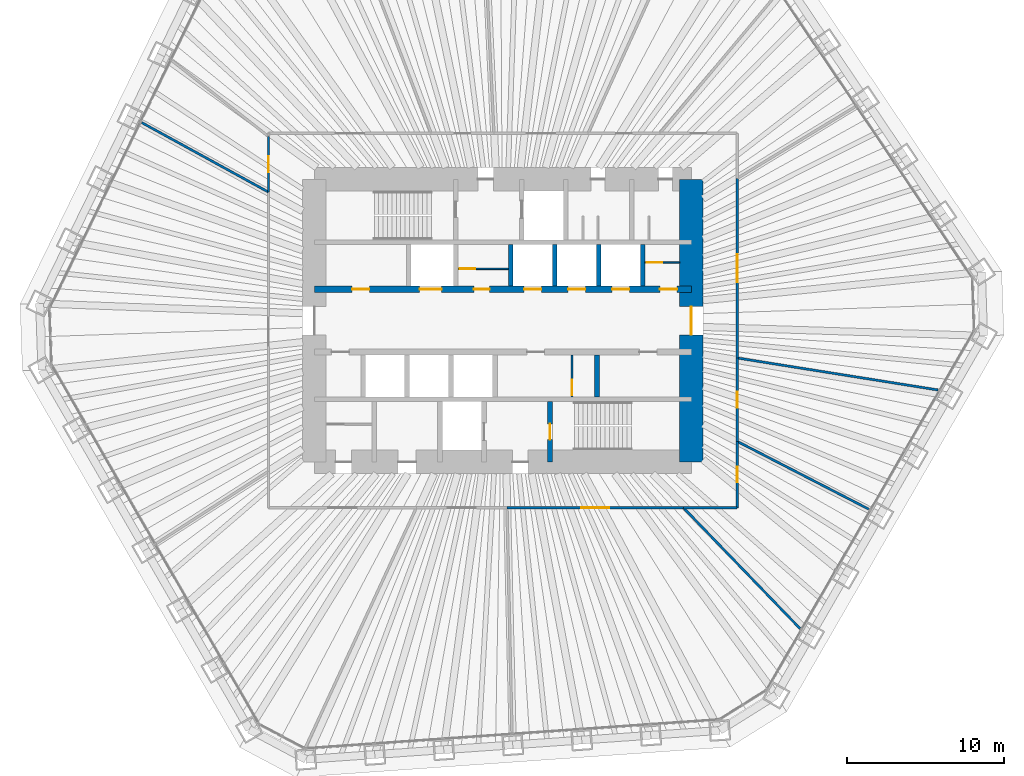
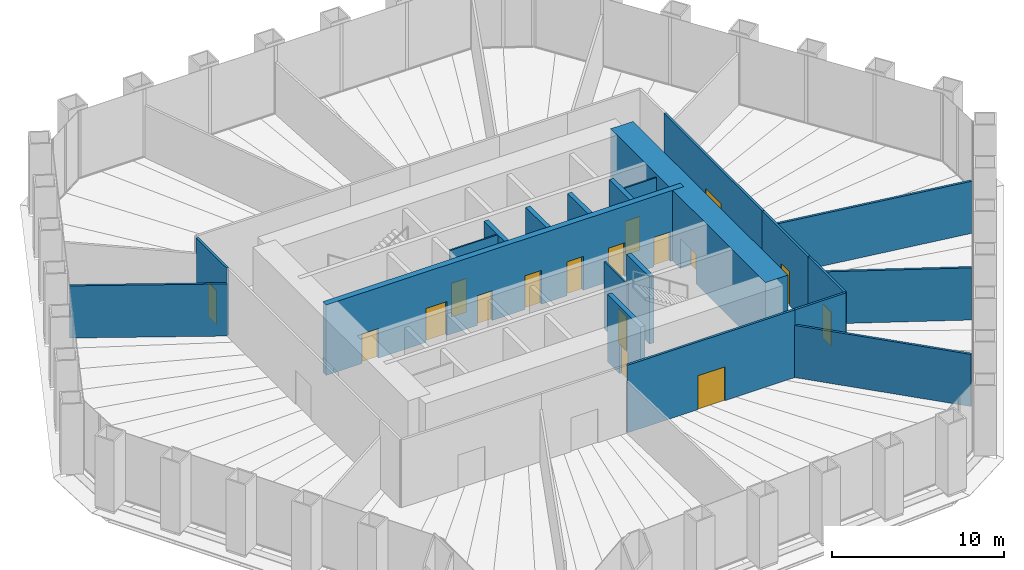
# One storey, part 11 of 14: 21 walls, 17 doors, 17 openings.
"""IFC4 building model written with IfcOpenShell, lengths in metres."""

from ifc_helpers import new_model, si_unit, direction, frame, frame_2d, origin, place, context, subcontext, project, spatial, rectangle, extrude, material, layer, layer_set, type_object, element, fill, save


model = new_model("IFC4")

# Units and contexts
model_context = context("Model", 3, precision=1e-05, world=origin(), true_north=direction((0.0, 1.0)))
body_context = subcontext(model_context, "Body", "Model", "MODEL_VIEW")
ifc_project = project(units=[si_unit("LENGTHUNIT", "METRE"), si_unit("AREAUNIT", "SQUARE_METRE"), si_unit("VOLUMEUNIT", "CUBIC_METRE"), si_unit("PLANEANGLEUNIT", "RADIAN"), si_unit("MASSUNIT", "GRAM", prefix="KILO")], contexts=[model_context])

# Site, building, storey
site_placement = place(None, origin())
site = spatial("IfcSite", under=ifc_project, at=site_placement, CompositionType="ELEMENT")
building_placement = place(site_placement, origin())
building = spatial("IfcBuilding", under=site, at=building_placement, Name="Qingtian Harvest Tower", CompositionType="ELEMENT")
storey_placement = place(building_placement, frame((0.0, 0.0, 57.0)))
storey = spatial("IfcBuildingStorey", under=building, at=storey_placement, Name="L11", CompositionType="ELEMENT", Elevation=57.0)

# Wall, openings, doors
ifc_material_1 = material(Name="Concrete fc' 70 MPa", Category="concrete")
ifc_layer_1 = layer(ifc_material_1, 0.39990234375)
ifc_layer_set_1 = layer_set([ifc_layer_1], Name="Core inner web RC6 400")
wall_type_1 = type_object("IfcWallType", Name="Core inner web RC6 400", PredefinedType="SHEAR", material=ifc_layer_set_1)
wall_1_placement = place(storey_placement, frame((-12.0, 2.0, 0.0), z_axis=(0.0, 0.0, 1.0), x_axis=(1.0, 0.0, 0.0)))
wall_1 = element("IfcWall", 1, at=wall_1_placement, inside=storey, type_object=wall_type_1, Name="Core wall IN2 L11", PredefinedType="SHEAR", context=body_context, shape_type="SweptSolid", body=[
    extrude(rectangle(XDim=24.0, YDim=0.39990234375, at=frame_2d((12.0, 0.0))), origin(), (0.0, 0.0, 1.0), 5.0),
])
opening_1_placement = place(wall_1_placement, frame((2.39990234375, 0.0, 0.0)))
opening_1 = element("IfcOpeningElement", 2, at=opening_1_placement, cuts=wall_1, Name="Opening FD4", PredefinedType="OPENING", context=body_context, shape_type="SweptSolid", body=[
    extrude(rectangle(XDim=1.10009765625, YDim=2.10009765625, at=frame_2d((0.550048828125, 1.050048828125))), frame((0.0, 0.2099609375, 0.0), z_axis=(0.0, -1.0, 0.0), x_axis=(1.0, 0.0, 0.0)), (0.0, 0.0, 1.0), 0.419921875),
])
opening_2_placement = place(wall_1_placement, frame((22.0, 0.0, 0.0)))
opening_2 = element("IfcOpeningElement", 3, at=opening_2_placement, cuts=wall_1, Name="Opening FD4", PredefinedType="OPENING", context=body_context, shape_type="SweptSolid", body=[
    extrude(rectangle(XDim=1.10009765625, YDim=2.10009765625, at=frame_2d((0.550048828125, 1.050048828125))), frame((0.0, 0.2099609375, 0.0), z_axis=(0.0, -1.0, 0.0), x_axis=(1.0, 0.0, 0.0)), (0.0, 0.0, 1.0), 0.419921875),
])
opening_3_placement = place(wall_1_placement, frame((10.14990234375, 0.0, 0.0)))
opening_3 = element("IfcOpeningElement", 4, at=opening_3_placement, cuts=wall_1, Name="Opening FD1", PredefinedType="OPENING", context=body_context, shape_type="SweptSolid", body=[
    extrude(rectangle(XDim=1.0, YDim=2.10009765625, at=frame_2d((0.5, 1.050048828125))), frame((0.0, 0.2099609375, 0.0), z_axis=(0.0, -1.0, 0.0), x_axis=(1.0, 0.0, 0.0)), (0.0, 0.0, 1.0), 0.419921875),
])
opening_4_placement = place(wall_1_placement, frame((6.699951171875, 0.0, 0.0)))
opening_4 = element("IfcOpeningElement", 5, at=opening_4_placement, cuts=wall_1, Name="Opening LD2", PredefinedType="OPENING", context=body_context, shape_type="SweptSolid", body=[
    extrude(rectangle(XDim=1.39990234375, YDim=2.39990234375, at=frame_2d((0.699951171875, 1.199951171875))), frame((0.0, 0.2099609375, 0.0), z_axis=(0.0, -1.0, 0.0), x_axis=(1.0, 0.0, 0.0)), (0.0, 0.0, 1.0), 0.419921875),
])
opening_5_placement = place(wall_1_placement, frame((13.35009765625, 0.0, 0.0)))
opening_5 = element("IfcOpeningElement", 6, at=opening_5_placement, cuts=wall_1, Name="Opening LD1", PredefinedType="OPENING", context=body_context, shape_type="SweptSolid", body=[
    extrude(rectangle(XDim=1.10009765625, YDim=2.39990234375, at=frame_2d((0.550048828125, 1.199951171875))), frame((0.0, 0.2099609375, 0.0), z_axis=(0.0, -1.0, 0.0), x_axis=(1.0, 0.0, 0.0)), (0.0, 0.0, 1.0), 0.419921875),
])
opening_6_placement = place(wall_1_placement, frame((16.14990234375, 0.0, 0.0)))
opening_6 = element("IfcOpeningElement", 7, at=opening_6_placement, cuts=wall_1, Name="Opening LD1", PredefinedType="OPENING", context=body_context, shape_type="SweptSolid", body=[
    extrude(rectangle(XDim=1.10009765625, YDim=2.39990234375, at=frame_2d((0.550048828125, 1.199951171875))), frame((0.0, 0.2099609375, 0.0), z_axis=(0.0, -1.0, 0.0), x_axis=(1.0, 0.0, 0.0)), (0.0, 0.0, 1.0), 0.419921875),
])
opening_7_placement = place(wall_1_placement, frame((18.949951171875, 0.0, 0.0)))
opening_7 = element("IfcOpeningElement", 8, at=opening_7_placement, cuts=wall_1, Name="Opening LD1", PredefinedType="OPENING", context=body_context, shape_type="SweptSolid", body=[
    extrude(rectangle(XDim=1.10009765625, YDim=2.39990234375, at=frame_2d((0.550048828125, 1.199951171875))), frame((0.0, 0.2099609375, 0.0), z_axis=(0.0, -1.0, 0.0), x_axis=(1.0, 0.0, 0.0)), (0.0, 0.0, 1.0), 0.419921875),
])
ifc_material_2 = material(Name="Steel-faced door leaf", Category="steel")
door_type_1 = type_object("IfcDoorType", Name="Fire door FD1 single 1 HR", OperationType="SINGLE_SWING_LEFT", PredefinedType="DOOR", material=ifc_material_2)
door_1_placement = place(opening_3_placement, origin())
door_1 = element("IfcDoor", 9, at=door_1_placement, inside=storey, type_object=door_type_1, Name="STA door L11", OperationType="SINGLE_SWING_LEFT", OverallHeight=2.10009765625, OverallWidth=1.0, PredefinedType="DOOR", context=body_context, shape_type="SweptSolid", body=[
    extrude(rectangle(XDim=1.0, YDim=2.10009765625, at=frame_2d((0.5, 1.050048828125))), frame((0.0, 0.02490234375, 0.0), z_axis=(0.0, -1.0, 0.0), x_axis=(1.0, 0.0, 0.0)), (0.0, 0.0, 1.0), 0.050048828125),
])
fill(opening_3, door_1)
ifc_material_3 = material(Name="Steel-faced door leaf", Category="steel")
door_type_2 = type_object("IfcDoorType", Name="Fire door FD4 single 2 HR", OperationType="SINGLE_SWING_LEFT", PredefinedType="DOOR", material=ifc_material_3)
door_2_placement = place(opening_1_placement, origin())
door_2 = element("IfcDoor", 10, at=door_2_placement, inside=storey, type_object=door_type_2, Name="RA door L11", OperationType="SINGLE_SWING_RIGHT", OverallHeight=2.10009765625, OverallWidth=1.10009765625, PredefinedType="DOOR", context=body_context, shape_type="SweptSolid", body=[
    extrude(rectangle(XDim=1.10009765625, YDim=2.10009765625, at=frame_2d((0.550048828125, 1.050048828125))), frame((0.0, 0.02490234375, 0.0), z_axis=(0.0, -1.0, 0.0), x_axis=(1.0, 0.0, 0.0)), (0.0, 0.0, 1.0), 0.050048828125),
])
fill(opening_1, door_2)
door_3_placement = place(opening_2_placement, origin())
door_3 = element("IfcDoor", 11, at=door_3_placement, inside=storey, type_object=door_type_2, Name="AHU door L11", OperationType="SINGLE_SWING_RIGHT", OverallHeight=2.10009765625, OverallWidth=1.10009765625, PredefinedType="DOOR", context=body_context, shape_type="SweptSolid", body=[
    extrude(rectangle(XDim=1.10009765625, YDim=2.10009765625, at=frame_2d((0.550048828125, 1.050048828125))), frame((0.0, 0.02490234375, 0.0), z_axis=(0.0, -1.0, 0.0), x_axis=(1.0, 0.0, 0.0)), (0.0, 0.0, 1.0), 0.050048828125),
])
fill(opening_2, door_3)
ifc_material_4 = material(Name="Stainless steel lift landing door", Category="steel")
door_type_3 = type_object("IfcDoorType", Name="Goods lift landing door LD2 1 HR", OperationType="DOUBLE_DOOR_SLIDING", PredefinedType="DOOR", material=ifc_material_4)
door_4_placement = place(opening_4_placement, origin())
door_4 = element("IfcDoor", 12, at=door_4_placement, inside=storey, type_object=door_type_3, Name="GL1 landing door L11", OperationType="DOUBLE_DOOR_SLIDING", OverallHeight=2.39990234375, OverallWidth=1.39990234375, PredefinedType="DOOR", context=body_context, shape_type="SweptSolid", body=[
    extrude(rectangle(XDim=1.39990234375, YDim=2.39990234375, at=frame_2d((0.699951171875, 1.199951171875))), frame((0.0, 0.02490234375, 0.0), z_axis=(0.0, -1.0, 0.0), x_axis=(1.0, 0.0, 0.0)), (0.0, 0.0, 1.0), 0.050048828125),
])
fill(opening_4, door_4)
ifc_material_5 = material(Name="Stainless steel lift landing door", Category="steel")
door_type_4 = type_object("IfcDoorType", Name="Lift landing door LD1 1 HR", OperationType="DOUBLE_DOOR_SLIDING", PredefinedType="DOOR", material=ifc_material_5)
door_5_placement = place(opening_5_placement, origin())
door_5 = element("IfcDoor", 13, at=door_5_placement, inside=storey, type_object=door_type_4, Name="PLA1 landing door L11", OperationType="DOUBLE_DOOR_SLIDING", OverallHeight=2.39990234375, OverallWidth=1.10009765625, PredefinedType="DOOR", context=body_context, shape_type="SweptSolid", body=[
    extrude(rectangle(XDim=1.10009765625, YDim=2.39990234375, at=frame_2d((0.550048828125, 1.199951171875))), frame((0.0, 0.02490234375, 0.0), z_axis=(0.0, -1.0, 0.0), x_axis=(1.0, 0.0, 0.0)), (0.0, 0.0, 1.0), 0.050048828125),
])
fill(opening_5, door_5)
door_6_placement = place(opening_6_placement, origin())
door_6 = element("IfcDoor", 14, at=door_6_placement, inside=storey, type_object=door_type_4, Name="PLA2 landing door L11", OperationType="DOUBLE_DOOR_SLIDING", OverallHeight=2.39990234375, OverallWidth=1.10009765625, PredefinedType="DOOR", context=body_context, shape_type="SweptSolid", body=[
    extrude(rectangle(XDim=1.10009765625, YDim=2.39990234375, at=frame_2d((0.550048828125, 1.199951171875))), frame((0.0, 0.02490234375, 0.0), z_axis=(0.0, -1.0, 0.0), x_axis=(1.0, 0.0, 0.0)), (0.0, 0.0, 1.0), 0.050048828125),
])
fill(opening_6, door_6)
door_7_placement = place(opening_7_placement, origin())
door_7 = element("IfcDoor", 15, at=door_7_placement, inside=storey, type_object=door_type_4, Name="PLA3 landing door L11", OperationType="DOUBLE_DOOR_SLIDING", OverallHeight=2.39990234375, OverallWidth=1.10009765625, PredefinedType="DOOR", context=body_context, shape_type="SweptSolid", body=[
    extrude(rectangle(XDim=1.10009765625, YDim=2.39990234375, at=frame_2d((0.550048828125, 1.199951171875))), frame((0.0, 0.02490234375, 0.0), z_axis=(0.0, -1.0, 0.0), x_axis=(1.0, 0.0, 0.0)), (0.0, 0.0, 1.0), 0.050048828125),
])
fill(opening_7, door_7)

# Walls
ifc_material_6 = material(Name="Precast concrete shaft panel", Category="concrete")
ifc_layer_2 = layer(ifc_material_6, 0.300048828125)
ifc_layer_set_2 = layer_set([ifc_layer_2], Name="Core shaft partition SW1 300")
wall_type_2 = type_object("IfcWallType", Name="Core shaft partition SW1 300", PredefinedType="PARTITIONING", material=ifc_layer_set_2)
for number, where, z_axis, x_axis, name in (
    (16, (0.5, 2.199951171875, 0.0), (0.0, 0.0, 1.0), (0.0, 1.0, 0.0), "Core shaft partition XA3 L11"),
    (17, (3.300048828125, 2.199951171875, 0.0), (0.0, 0.0, 1.0), (0.0, 1.0, 0.0), "Core shaft partition XA4 L11"),
    (18, (6.10009765625, 2.199951171875, 0.0), (0.0, 0.0, 1.0), (0.0, 1.0, 0.0), "Core shaft partition XA5 L11"),
    (19, (8.89990234375, 2.199951171875, 0.0), (0.0, 0.0, 1.0), (0.0, 1.0, 0.0), "Core shaft partition XA6 L11"),
    (20, (6.0, -4.85009765625, 0.0), (0.0, 0.0, 1.0), (0.0, 1.0, 0.0), "Core shaft partition XB5 L11"),
):
    element("IfcWall", number, at=place(storey_placement, frame(where, z_axis=z_axis, x_axis=x_axis)), inside=storey, type_object=wall_type_2, Name=name, PredefinedType="PARTITIONING", context=body_context, shape_type="SweptSolid", body=[
        extrude(rectangle(XDim=2.650146484375, YDim=0.300048828125, at=frame_2d((1.3251953125, 0.0))), origin(), (0.0, 0.0, 1.0), 4.780029296875),
    ])

# Wall, opening, door
wall_2_placement = place(storey_placement, frame((3.0, -9.0, 0.0), z_axis=(0.0, 0.0, 1.0), x_axis=(0.0, 1.0, 0.0)))
wall_2 = element("IfcWall", 21, at=wall_2_placement, inside=storey, type_object=wall_type_2, Name="Core shaft partition XS4 L11", PredefinedType="PARTITIONING", context=body_context, shape_type="SweptSolid", body=[
    extrude(rectangle(XDim=3.85009765625, YDim=0.300048828125, at=frame_2d((1.925048828125, 0.0))), origin(), (0.0, 0.0, 1.0), 4.780029296875),
])
opening_8_placement = place(wall_2_placement, frame((1.425048828125, 0.0, 0.0)))
opening_8 = element("IfcOpeningElement", 22, at=opening_8_placement, cuts=wall_2, Name="Opening FD1", PredefinedType="OPENING", context=body_context, shape_type="SweptSolid", body=[
    extrude(rectangle(XDim=1.0, YDim=2.10009765625, at=frame_2d((0.5, 1.050048828125))), frame((0.0, 0.159912109375, 0.0), z_axis=(0.0, -1.0, 0.0), x_axis=(1.0, 0.0, 0.0)), (0.0, 0.0, 1.0), 0.320068359375),
])
door_8_placement = place(opening_8_placement, origin())
door_8 = element("IfcDoor", 23, at=door_8_placement, inside=storey, type_object=door_type_1, Name="S2 door L11", OperationType="SINGLE_SWING_LEFT", OverallHeight=2.10009765625, OverallWidth=1.0, PredefinedType="DOOR", context=body_context, shape_type="SweptSolid", body=[
    extrude(rectangle(XDim=1.0, YDim=2.10009765625, at=frame_2d((0.5, 1.050048828125))), frame((0.0, 0.02490234375, 0.0), z_axis=(0.0, -1.0, 0.0), x_axis=(1.0, 0.0, 0.0)), (0.0, 0.0, 1.0), 0.050048828125),
])
fill(opening_8, door_8)

ifc_material_7 = material(Name="Concrete fc' 70 MPa", Category="concrete")
ifc_layer_3 = layer(ifc_material_7, 1.5)
ifc_layer_set_3 = layer_set([ifc_layer_3], Name="Core wall RC1 1500")
wall_type_3 = type_object("IfcWallType", Name="Core wall RC1 1500", PredefinedType="SHEAR", material=ifc_layer_set_3)
wall_3_placement = place(storey_placement, frame((12.0, -9.0, 0.0), z_axis=(0.0, 0.0, 1.0), x_axis=(0.0, 1.0, 0.0)))
wall_3 = element("IfcWall", 24, at=wall_3_placement, inside=storey, type_object=wall_type_3, Name="Core wall CE L11", PredefinedType="SHEAR", context=body_context, shape_type="SweptSolid", body=[
    extrude(rectangle(XDim=18.0, YDim=1.5, at=frame_2d((9.0, 0.0))), origin(), (0.0, 0.0, 1.0), 5.0),
])
opening_9_placement = place(wall_3_placement, frame((8.10009765625, 0.0, 0.0)))
opening_9 = element("IfcOpeningElement", 25, at=opening_9_placement, cuts=wall_3, Name="Opening FD2", PredefinedType="OPENING", context=body_context, shape_type="SweptSolid", body=[
    extrude(rectangle(XDim=1.800048828125, YDim=2.10009765625, at=frame_2d((0.89990234375, 1.050048828125))), frame((0.0, 0.760009765625, 0.0), z_axis=(0.0, -1.0, 0.0), x_axis=(1.0, 0.0, 0.0)), (0.0, 0.0, 1.0), 1.52001953125),
])
ifc_material_8 = material(Name="Steel-faced door leaf", Category="steel")
door_type_5 = type_object("IfcDoorType", Name="Fire door FD2 double 1 HR", OperationType="DOUBLE_DOOR_DOUBLE_SWING", PredefinedType="DOOR", material=ifc_material_8)
door_9_placement = place(opening_9_placement, origin())
door_9 = element("IfcDoor", 26, at=door_9_placement, inside=storey, type_object=door_type_5, Name="LOBBY-E door L11", OperationType="DOUBLE_DOOR_DOUBLE_SWING", OverallHeight=2.10009765625, OverallWidth=1.800048828125, PredefinedType="DOOR", context=body_context, shape_type="SweptSolid", body=[
    extrude(rectangle(XDim=1.800048828125, YDim=2.10009765625, at=frame_2d((0.89990234375, 1.050048828125))), frame((0.0, 0.02490234375, 0.0), z_axis=(0.0, -1.0, 0.0), x_axis=(1.0, 0.0, 0.0)), (0.0, 0.0, 1.0), 0.050048828125),
])
fill(opening_9, door_9)

ifc_material_9 = material(Name="Gypsum board on steel studs", Category="steel")
ifc_layer_4 = layer(ifc_material_9, 0.14990234375)
ifc_layer_set_4 = layer_set([ifc_layer_4], Name="Partition PT1 150")
wall_type_4 = type_object("IfcWallType", Name="Partition PT1 150", PredefinedType="PARTITIONING", material=ifc_layer_set_4)
wall_4_placement = place(storey_placement, frame((14.925048828125, 9.06103515625, 0.0), z_axis=(0.0, 0.0, 1.0), x_axis=(0.0, -1.0, 0.0)))
wall_4 = element("IfcWall", 27, at=wall_4_placement, inside=storey, type_object=wall_type_4, Name="Herb growing room wall L11", PredefinedType="PARTITIONING", context=body_context, shape_type="SweptSolid", body=[
    extrude(rectangle(XDim=11.439453125, YDim=0.14990234375, at=frame_2d((5.7197265625, 0.0))), origin(), (0.0, 0.0, 1.0), 4.800048828125),
])
opening_10_placement = place(wall_4_placement, frame((4.81982421875, 0.0, 0.0)))
opening_10 = element("IfcOpeningElement", 28, at=opening_10_placement, cuts=wall_4, Name="Opening D3", PredefinedType="OPENING", context=body_context, shape_type="SweptSolid", body=[
    extrude(rectangle(XDim=1.800048828125, YDim=2.39990234375, at=frame_2d((0.89990234375, 1.199951171875))), frame((0.0, 0.0849609375, 0.0), z_axis=(0.0, -1.0, 0.0), x_axis=(1.0, 0.0, 0.0)), (0.0, 0.0, 1.0), 0.169921875),
])
ifc_material_10 = material(Name="Laminated timber door leaf", Category="wood")
door_type_6 = type_object("IfcDoorType", Name="Room door D3 double", OperationType="DOUBLE_DOOR_DOUBLE_SWING", PredefinedType="DOOR", material=ifc_material_10)
door_10_placement = place(opening_10_placement, origin())
door_10 = element("IfcDoor", 29, at=door_10_placement, inside=storey, type_object=door_type_6, Name="Herb growing room door L11", OperationType="DOUBLE_DOOR_DOUBLE_SWING", OverallHeight=2.39990234375, OverallWidth=1.800048828125, PredefinedType="DOOR", context=body_context, shape_type="SweptSolid", body=[
    extrude(rectangle(XDim=1.800048828125, YDim=2.39990234375, at=frame_2d((0.89990234375, 1.199951171875))), frame((0.0, 0.02490234375, 0.0), z_axis=(0.0, -1.0, 0.0), x_axis=(1.0, 0.0, 0.0)), (0.0, 0.0, 1.0), 0.050048828125),
])
fill(opening_10, door_10)

# Wall
wall_5_placement = place(storey_placement, frame((27.711181640625, -4.416015625, 0.0), z_axis=(0.0, 0.0, 1.0), x_axis=(-0.987539045088, 0.157374186021, 0.0)))
element("IfcWall", 30, at=wall_5_placement, inside=storey, type_object=wall_type_4, Name="Herb drying room wall L11", PredefinedType="PARTITIONING", context=body_context, shape_type="SweptSolid", body=[
    extrude(rectangle(XDim=12.947509765625, YDim=0.14990234375, at=frame_2d((6.4736328125, 0.0))), origin(), (0.0, 0.0, 1.0), 3.699951171875),
])

# Wall, opening, door
wall_6_placement = place(storey_placement, frame((14.925048828125, -2.37841796875, 0.0), z_axis=(0.0, 0.0, 1.0), x_axis=(0.0, -1.0, 0.0)))
wall_6 = element("IfcWall", 31, at=wall_6_placement, inside=storey, type_object=wall_type_4, Name="Herb drying room wall L11", PredefinedType="PARTITIONING", context=body_context, shape_type="SweptSolid", body=[
    extrude(rectangle(XDim=5.3125, YDim=0.14990234375, at=frame_2d((2.65625, 0.0))), origin(), (0.0, 0.0, 1.0), 4.800048828125),
])
opening_11_placement = place(wall_6_placement, frame((2.15625, 0.0, 0.0)))
opening_11 = element("IfcOpeningElement", 32, at=opening_11_placement, cuts=wall_6, Name="Opening D2", PredefinedType="OPENING", context=body_context, shape_type="SweptSolid", body=[
    extrude(rectangle(XDim=1.0, YDim=2.39990234375, at=frame_2d((0.5, 1.199951171875))), frame((0.0, 0.0849609375, 0.0), z_axis=(0.0, -1.0, 0.0), x_axis=(1.0, 0.0, 0.0)), (0.0, 0.0, 1.0), 0.169921875),
])
ifc_material_11 = material(Name="Laminated timber door leaf", Category="wood")
door_type_7 = type_object("IfcDoorType", Name="Room door D2 single", OperationType="SINGLE_SWING_LEFT", PredefinedType="DOOR", material=ifc_material_11)
door_11_placement = place(opening_11_placement, origin())
door_11 = element("IfcDoor", 33, at=door_11_placement, inside=storey, type_object=door_type_7, Name="Herb drying room door L11", OperationType="SINGLE_SWING_LEFT", OverallHeight=2.39990234375, OverallWidth=1.0, PredefinedType="DOOR", context=body_context, shape_type="SweptSolid", body=[
    extrude(rectangle(XDim=1.0, YDim=2.39990234375, at=frame_2d((0.5, 1.199951171875))), frame((0.0, 0.02490234375, 0.0), z_axis=(0.0, -1.0, 0.0), x_axis=(1.0, 0.0, 0.0)), (0.0, 0.0, 1.0), 0.050048828125),
])
fill(opening_11, door_11)

# Wall
wall_7_placement = place(storey_placement, frame((23.31640625, -12.01513671875, 0.0), z_axis=(0.0, 0.0, 1.0), x_axis=(-0.888914247068, 0.458073641851, 0.0)))
element("IfcWall", 34, at=wall_7_placement, inside=storey, type_object=wall_type_4, Name="Nutrient dosing room wall L11", PredefinedType="PARTITIONING", context=body_context, shape_type="SweptSolid", body=[
    extrude(rectangle(XDim=9.43994140625, YDim=0.14990234375, at=frame_2d((4.719970703125, 0.0))), origin(), (0.0, 0.0, 1.0), 3.699951171875),
])

# Wall, opening, door
wall_8_placement = place(storey_placement, frame((14.925048828125, -7.69091796875, 0.0), z_axis=(0.0, 0.0, 1.0), x_axis=(0.0, -1.0, 0.0)))
wall_8 = element("IfcWall", 35, at=wall_8_placement, inside=storey, type_object=wall_type_4, Name="Nutrient dosing room wall L11", PredefinedType="PARTITIONING", context=body_context, shape_type="SweptSolid", body=[
    extrude(rectangle(XDim=4.234130859375, YDim=0.14990234375, at=frame_2d((2.1171875, 0.0))), origin(), (0.0, 0.0, 1.0), 4.800048828125),
])
opening_12_placement = place(wall_8_placement, frame((1.616943359375, 0.0, 0.0)))
opening_12 = element("IfcOpeningElement", 36, at=opening_12_placement, cuts=wall_8, Name="Opening D2", PredefinedType="OPENING", context=body_context, shape_type="SweptSolid", body=[
    extrude(rectangle(XDim=1.0, YDim=2.39990234375, at=frame_2d((0.5, 1.199951171875))), frame((0.0, 0.0849609375, 0.0), z_axis=(0.0, -1.0, 0.0), x_axis=(1.0, 0.0, 0.0)), (0.0, 0.0, 1.0), 0.169921875),
])
door_12_placement = place(opening_12_placement, origin())
door_12 = element("IfcDoor", 37, at=door_12_placement, inside=storey, type_object=door_type_7, Name="Nutrient dosing room door L11", OperationType="SINGLE_SWING_LEFT", OverallHeight=2.39990234375, OverallWidth=1.0, PredefinedType="DOOR", context=body_context, shape_type="SweptSolid", body=[
    extrude(rectangle(XDim=1.0, YDim=2.39990234375, at=frame_2d((0.5, 1.199951171875))), frame((0.0, 0.02490234375, 0.0), z_axis=(0.0, -1.0, 0.0), x_axis=(1.0, 0.0, 0.0)), (0.0, 0.0, 1.0), 0.050048828125),
])
fill(opening_12, door_12)

# Walls
wall_9_placement = place(storey_placement, frame((14.925048828125, -11.925048828125, 0.0), z_axis=(0.0, 0.0, 1.0), x_axis=(-1.0, 0.0, 0.0)))
element("IfcWall", 38, at=wall_9_placement, inside=storey, type_object=wall_type_4, Name="Nutrient dosing room wall L11", PredefinedType="PARTITIONING", context=body_context, shape_type="SweptSolid", body=[
    extrude(rectangle(XDim=3.41748046875, YDim=0.14990234375, at=frame_2d((1.708740234375, 0.0))), origin(), (0.0, 0.0, 1.0), 4.800048828125),
])
wall_10_placement = place(storey_placement, frame((18.93115234375, -19.617919921875, 0.0), z_axis=(0.0, 0.0, 1.0), x_axis=(-0.694400087022, 0.719589132175, 0.0)))
element("IfcWall", 39, at=wall_10_placement, inside=storey, type_object=wall_type_4, Name="Herb growing room wall L11", PredefinedType="PARTITIONING", context=body_context, shape_type="SweptSolid", body=[
    extrude(rectangle(XDim=10.690673828125, YDim=0.14990234375, at=frame_2d((5.34521484375, 0.0))), origin(), (0.0, 0.0, 1.0), 3.699951171875),
])

# Wall, opening, door
wall_11_placement = place(storey_placement, frame((11.507568359375, -11.925048828125, 0.0), z_axis=(0.0, 0.0, 1.0), x_axis=(-1.0, 0.0, 0.0)))
wall_11 = element("IfcWall", 40, at=wall_11_placement, inside=storey, type_object=wall_type_4, Name="Herb growing room wall L11", PredefinedType="PARTITIONING", context=body_context, shape_type="SweptSolid", body=[
    extrude(rectangle(XDim=11.244873046875, YDim=0.14990234375, at=frame_2d((5.62255859375, 0.0))), origin(), (0.0, 0.0, 1.0), 4.800048828125),
])
opening_13_placement = place(wall_11_placement, frame((4.722412109375, 0.0, 0.0)))
opening_13 = element("IfcOpeningElement", 41, at=opening_13_placement, cuts=wall_11, Name="Opening D3", PredefinedType="OPENING", context=body_context, shape_type="SweptSolid", body=[
    extrude(rectangle(XDim=1.800048828125, YDim=2.39990234375, at=frame_2d((0.89990234375, 1.199951171875))), frame((0.0, 0.0849609375, 0.0), z_axis=(0.0, -1.0, 0.0), x_axis=(1.0, 0.0, 0.0)), (0.0, 0.0, 1.0), 0.169921875),
])
door_13_placement = place(opening_13_placement, origin())
door_13 = element("IfcDoor", 42, at=door_13_placement, inside=storey, type_object=door_type_6, Name="Herb growing room door L11", OperationType="DOUBLE_DOOR_DOUBLE_SWING", OverallHeight=2.39990234375, OverallWidth=1.800048828125, PredefinedType="DOOR", context=body_context, shape_type="SweptSolid", body=[
    extrude(rectangle(XDim=1.800048828125, YDim=2.39990234375, at=frame_2d((0.89990234375, 1.199951171875))), frame((0.0, 0.02490234375, 0.0), z_axis=(0.0, -1.0, 0.0), x_axis=(1.0, 0.0, 0.0)), (0.0, 0.0, 1.0), 0.050048828125),
])
fill(opening_13, door_13)

# Wall
wall_12_placement = place(storey_placement, frame((-22.999267578125, 12.611572265625, 0.0), z_axis=(0.0, 0.0, 1.0), x_axis=(0.876826470608, -0.480806967963, 0.0)))
element("IfcWall", 43, at=wall_12_placement, inside=storey, type_object=wall_type_4, Name="Gowning room wall L11", PredefinedType="PARTITIONING", context=body_context, shape_type="SweptSolid", body=[
    extrude(rectangle(XDim=9.20849609375, YDim=0.14990234375, at=frame_2d((4.604248046875, 0.0))), origin(), (0.0, 0.0, 1.0), 3.699951171875),
])

# Wall, opening, door
wall_13_placement = place(storey_placement, frame((-14.925048828125, 8.18408203125, 0.0), z_axis=(0.0, 0.0, 1.0), x_axis=(0.0, 1.0, 0.0)))
wall_13 = element("IfcWall", 44, at=wall_13_placement, inside=storey, type_object=wall_type_4, Name="Gowning room wall L11", PredefinedType="PARTITIONING", context=body_context, shape_type="SweptSolid", body=[
    extrude(rectangle(XDim=3.539794921875, YDim=0.14990234375, at=frame_2d((1.77001953125, 0.0))), origin(), (0.0, 0.0, 1.0), 4.800048828125),
])
opening_14_placement = place(wall_13_placement, frame((1.269775390625, 0.0, 0.0)))
opening_14 = element("IfcOpeningElement", 45, at=opening_14_placement, cuts=wall_13, Name="Opening D2", PredefinedType="OPENING", context=body_context, shape_type="SweptSolid", body=[
    extrude(rectangle(XDim=1.0, YDim=2.39990234375, at=frame_2d((0.5, 1.199951171875))), frame((0.0, 0.0849609375, 0.0), z_axis=(0.0, -1.0, 0.0), x_axis=(1.0, 0.0, 0.0)), (0.0, 0.0, 1.0), 0.169921875),
])
door_14_placement = place(opening_14_placement, origin())
door_14 = element("IfcDoor", 46, at=door_14_placement, inside=storey, type_object=door_type_7, Name="Gowning room door L11", OperationType="SINGLE_SWING_RIGHT", OverallHeight=2.39990234375, OverallWidth=1.0, PredefinedType="DOOR", context=body_context, shape_type="SweptSolid", body=[
    extrude(rectangle(XDim=1.0, YDim=2.39990234375, at=frame_2d((0.5, 1.199951171875))), frame((0.0, 0.02490234375, 0.0), z_axis=(0.0, -1.0, 0.0), x_axis=(1.0, 0.0, 0.0)), (0.0, 0.0, 1.0), 0.050048828125),
])
fill(opening_14, door_14)

ifc_material_12 = material(Name="Concrete block partition", Category="concrete")
ifc_layer_5 = layer(ifc_material_12, 0.10009765625)
ifc_layer_set_5 = layer_set([ifc_layer_5], Name="Store partition PT3 100")
wall_type_5 = type_object("IfcWallType", Name="Store partition PT3 100", PredefinedType="PARTITIONING", material=ifc_layer_set_5)
wall_14_placement = place(storey_placement, frame((-2.85009765625, 3.300048828125, 0.0), z_axis=(0.0, 0.0, 1.0), x_axis=(1.0, 0.0, 0.0)))
wall_14 = element("IfcWall", 47, at=wall_14_placement, inside=storey, type_object=wall_type_5, Name="Seed store wall L11", PredefinedType="PARTITIONING", context=body_context, shape_type="SweptSolid", body=[
    extrude(rectangle(XDim=3.2001953125, YDim=0.10009765625, at=frame_2d((1.60009765625, 0.0))), origin(), (0.0, 0.0, 1.0), 4.780029296875),
])
opening_15_placement = place(wall_14_placement, frame((0.10009765625, 0.0, 0.0)))
opening_15 = element("IfcOpeningElement", 48, at=opening_15_placement, cuts=wall_14, Name="Opening D2", PredefinedType="OPENING", context=body_context, shape_type="SweptSolid", body=[
    extrude(rectangle(XDim=1.0, YDim=2.39990234375, at=frame_2d((0.5, 1.199951171875))), frame((0.0, 0.06005859375, 0.0), z_axis=(0.0, -1.0, 0.0), x_axis=(1.0, 0.0, 0.0)), (0.0, 0.0, 1.0), 0.1201171875),
])
door_15_placement = place(opening_15_placement, origin())
door_15 = element("IfcDoor", 49, at=door_15_placement, inside=storey, type_object=door_type_7, Name="Seed store door L11", OperationType="SINGLE_SWING_RIGHT", OverallHeight=2.39990234375, OverallWidth=1.0, PredefinedType="DOOR", context=body_context, shape_type="SweptSolid", body=[
    extrude(rectangle(XDim=1.0, YDim=2.39990234375, at=frame_2d((0.5, 1.199951171875))), frame((0.0, 0.02490234375, 0.0), z_axis=(0.0, -1.0, 0.0), x_axis=(1.0, 0.0, 0.0)), (0.0, 0.0, 1.0), 0.050048828125),
])
fill(opening_15, door_15)

wall_15_placement = place(storey_placement, frame((4.39990234375, -4.85009765625, 0.0), z_axis=(0.0, 0.0, 1.0), x_axis=(0.0, 1.0, 0.0)))
wall_15 = element("IfcWall", 50, at=wall_15_placement, inside=storey, type_object=wall_type_5, Name="Control room wall L11", PredefinedType="PARTITIONING", context=body_context, shape_type="SweptSolid", body=[
    extrude(rectangle(XDim=2.650146484375, YDim=0.10009765625, at=frame_2d((1.3251953125, 0.0))), origin(), (0.0, 0.0, 1.0), 4.780029296875),
])
opening_16_placement = place(wall_15_placement, frame((0.10009765625, 0.0, 0.0)))
opening_16 = element("IfcOpeningElement", 51, at=opening_16_placement, cuts=wall_15, Name="Opening D2", PredefinedType="OPENING", context=body_context, shape_type="SweptSolid", body=[
    extrude(rectangle(XDim=1.0, YDim=2.39990234375, at=frame_2d((0.5, 1.199951171875))), frame((0.0, 0.06005859375, 0.0), z_axis=(0.0, -1.0, 0.0), x_axis=(1.0, 0.0, 0.0)), (0.0, 0.0, 1.0), 0.1201171875),
])
door_16_placement = place(opening_16_placement, origin())
door_16 = element("IfcDoor", 52, at=door_16_placement, inside=storey, type_object=door_type_7, Name="Control room door L11", OperationType="SINGLE_SWING_LEFT", OverallHeight=2.39990234375, OverallWidth=1.0, PredefinedType="DOOR", context=body_context, shape_type="SweptSolid", body=[
    extrude(rectangle(XDim=1.0, YDim=2.39990234375, at=frame_2d((0.5, 1.199951171875))), frame((0.0, 0.02490234375, 0.0), z_axis=(0.0, -1.0, 0.0), x_axis=(1.0, 0.0, 0.0)), (0.0, 0.0, 1.0), 0.050048828125),
])
fill(opening_16, door_16)

wall_16_placement = place(storey_placement, frame((9.050048828125, 3.699951171875, 0.0), z_axis=(0.0, 0.0, 1.0), x_axis=(1.0, 0.0, 0.0)))
wall_16 = element("IfcWall", 53, at=wall_16_placement, inside=storey, type_object=wall_type_5, Name="Filter plant room wall L11", PredefinedType="PARTITIONING", context=body_context, shape_type="SweptSolid", body=[
    extrude(rectangle(XDim=2.199951171875, YDim=0.10009765625, at=frame_2d((1.10009765625, 0.0))), origin(), (0.0, 0.0, 1.0), 4.780029296875),
])
opening_17_placement = place(wall_16_placement, frame((0.10009765625, 0.0, 0.0)))
opening_17 = element("IfcOpeningElement", 54, at=opening_17_placement, cuts=wall_16, Name="Opening D2", PredefinedType="OPENING", context=body_context, shape_type="SweptSolid", body=[
    extrude(rectangle(XDim=1.0, YDim=2.39990234375, at=frame_2d((0.5, 1.199951171875))), frame((0.0, 0.06005859375, 0.0), z_axis=(0.0, -1.0, 0.0), x_axis=(1.0, 0.0, 0.0)), (0.0, 0.0, 1.0), 0.1201171875),
])
door_17_placement = place(opening_17_placement, origin())
door_17 = element("IfcDoor", 55, at=door_17_placement, inside=storey, type_object=door_type_7, Name="Filter plant room door L11", OperationType="SINGLE_SWING_LEFT", OverallHeight=2.39990234375, OverallWidth=1.0, PredefinedType="DOOR", context=body_context, shape_type="SweptSolid", body=[
    extrude(rectangle(XDim=1.0, YDim=2.39990234375, at=frame_2d((0.5, 1.199951171875))), frame((0.0, 0.02490234375, 0.0), z_axis=(0.0, -1.0, 0.0), x_axis=(1.0, 0.0, 0.0)), (0.0, 0.0, 1.0), 0.050048828125),
])
fill(opening_17, door_17)

save(model, "model.ifc")
